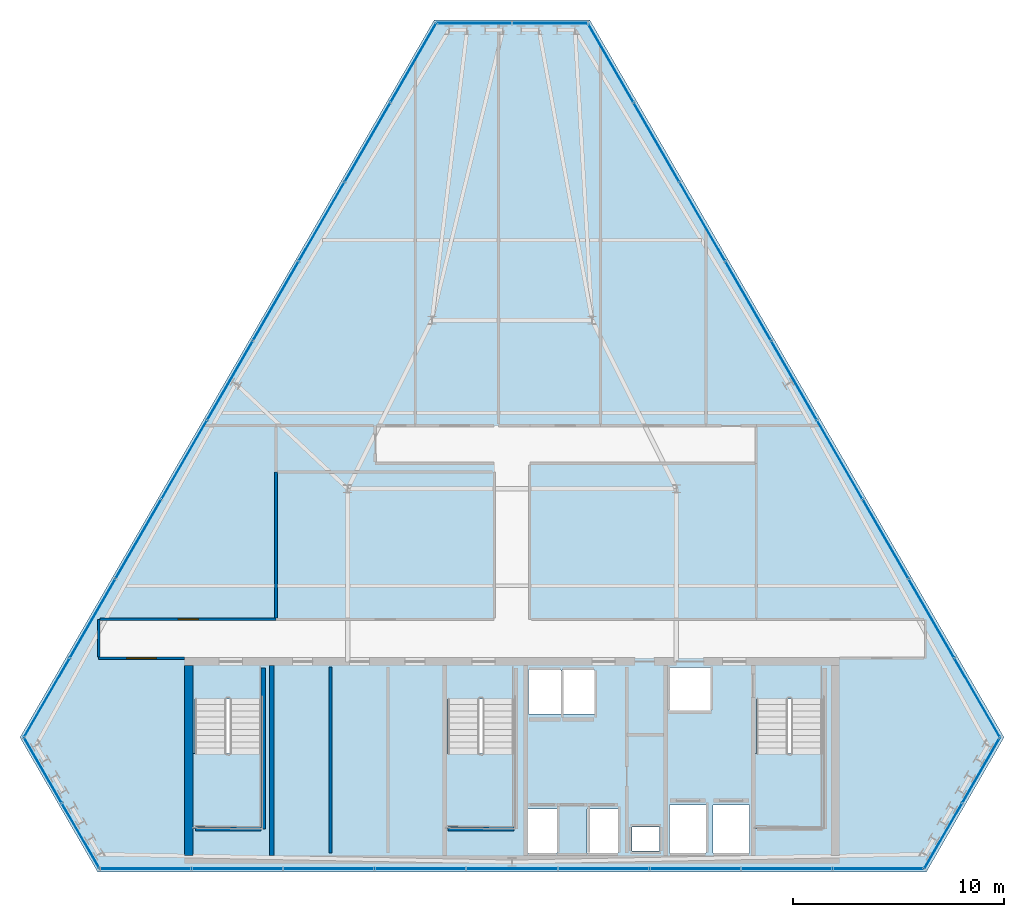
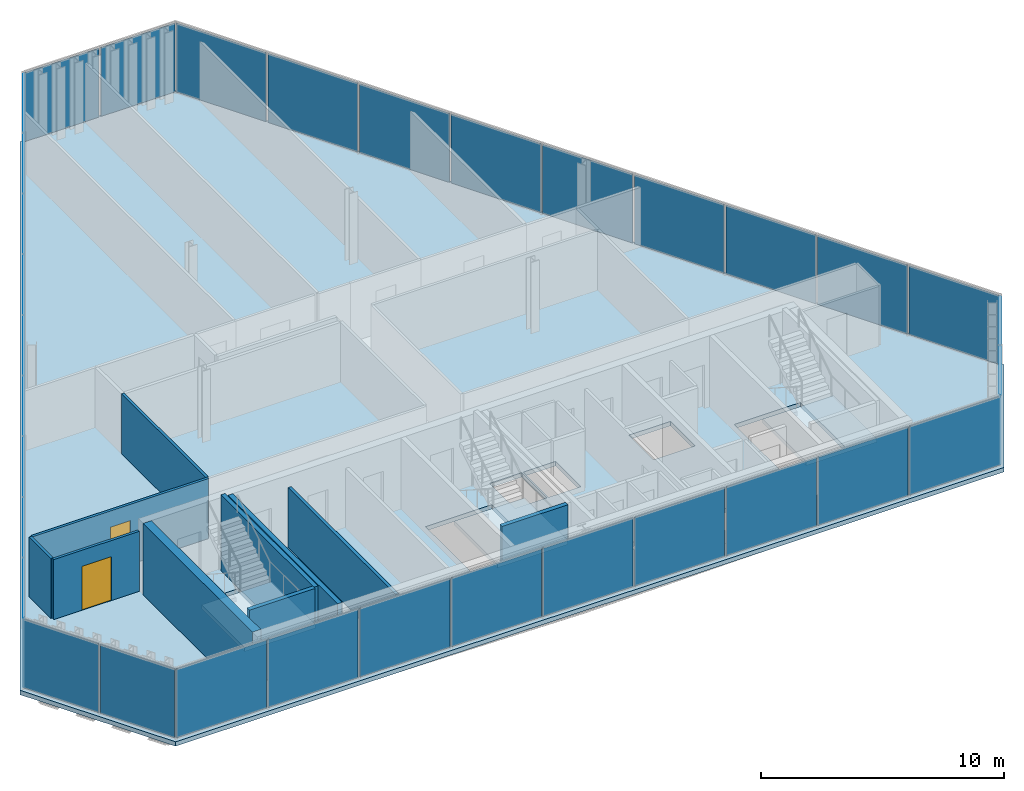
# One storey, part 23 of 29: 33 plates, 10 walls, 4 slabs, 2 doors, 2 openings, 9 elements without a shape of their own.
"""IFC4 building model written with IfcOpenShell, lengths in metres."""

import ifcopenshell
import ifcopenshell.guid

model = None  # the IFC model being written
_history = None  # IfcOwnerHistory: only IFC2X3 demands one
_inside = {}  # id of a spatial element -> (the spatial element, [elements in it])
_under = {}  # id of a project, library or spatial element -> (it, [spatial elements below it])
_declared = {}  # id of a project -> (the project, [libraries it declares])
_typed = {}  # id of a type object -> (the type object, [elements of that type])
_made_of = {}  # id of a material, layer set ... -> (it, [elements and type objects made of it])


def new_model(schema):
    """Start an empty IFC model of exactly this schema.

    Asked for "IFC4X3", IfcOpenShell would pick the latest addendum, in which some entities
    have other attributes; the version numbers below select the first issue.
    IFC2X3 requires an IfcOwnerHistory on every rooted entity: one is made here for all.
    """
    global model, _history
    if schema == "IFC4X3":
        model = ifcopenshell.file(schema_version=(4, 3, 0, 0))
    else:
        model = ifcopenshell.file(schema=schema)
    _inside.clear()
    _under.clear()
    _declared.clear()
    _typed.clear()
    _made_of.clear()
    _history = None
    if model.schema == "IFC2X3":
        org = make("IfcOrganization", Name="unknown")
        user = make(
            "IfcPersonAndOrganization",
            ThePerson=make("IfcPerson", FamilyName="unknown"),
            TheOrganization=org,
        )
        app = make(
            "IfcApplication",
            ApplicationDeveloper=org,
            Version="unknown",
            ApplicationFullName="unknown",
            ApplicationIdentifier="unknown",
        )
        _history = make(
            "IfcOwnerHistory",
            OwningUser=user,
            OwningApplication=app,
            ChangeAction="ADDED",
            CreationDate=0,
        )
    return model


def make(cls, **values):
    """One entity of the class cls with the attributes given. An attribute that is None is left unset."""
    return model.create_entity(
        cls, **{name: value for name, value in values.items() if value is not None}
    )


def rooted(cls, **values):
    """An entity with a GlobalId (a new one), such as an element, a storey or a relation."""
    return make(cls, GlobalId=ifcopenshell.guid.new(), OwnerHistory=_history, **values)


def si_unit(unit_type, name, prefix=None):
    """IfcSIUnit, for example si_unit("LENGTHUNIT", "METRE", prefix="MILLI")."""
    return make("IfcSIUnit", UnitType=unit_type, Prefix=prefix, Name=name)


def assignment(units):
    """IfcUnitAssignment: the units of a project."""
    return None if units is None else make("IfcUnitAssignment", Units=units)


def point(xyz):
    """IfcCartesianPoint."""
    return None if xyz is None else make("IfcCartesianPoint", Coordinates=xyz)


def direction(xyz):
    """IfcDirection."""
    return None if xyz is None else make("IfcDirection", DirectionRatios=xyz)


def frame(location, z_axis=None, x_axis=None):
    """IfcAxis2Placement3D, a coordinate frame: its origin and axes. An axis left out is left unset."""
    return make(
        "IfcAxis2Placement3D",
        Location=point(location),
        Axis=direction(z_axis),
        RefDirection=direction(x_axis),
    )


def frame_2d(location, x_axis=None):
    """IfcAxis2Placement2D, a coordinate frame in the plane: its origin and x axis."""
    return make(
        "IfcAxis2Placement2D", Location=point(location), RefDirection=direction(x_axis)
    )


def origin():
    """The frame at (0, 0, 0) with its axes left unset."""
    return frame((0.0, 0.0, 0.0))


def origin_2d():
    """The frame at (0, 0) in the plane with its x axis left unset."""
    return frame_2d((0.0, 0.0))


def place(relative_to, where):
    """IfcLocalPlacement: puts the frame where relative to a parent placement (None: the world)."""
    return make(
        "IfcLocalPlacement", PlacementRelTo=relative_to, RelativePlacement=where
    )


def context(
    kind, dimensions, precision=None, world=None, true_north=None, identifier=None
):
    """IfcGeometricRepresentationContext, for example the 3D "Model" context."""
    return make(
        "IfcGeometricRepresentationContext",
        ContextIdentifier=identifier,
        ContextType=kind,
        CoordinateSpaceDimension=dimensions,
        Precision=precision,
        WorldCoordinateSystem=world,
        TrueNorth=true_north,
    )


def subcontext(parent, identifier, kind, view, scale=None):
    """IfcGeometricRepresentationSubContext, for example "Body" below "Model"."""
    return make(
        "IfcGeometricRepresentationSubContext",
        ContextIdentifier=identifier,
        ContextType=kind,
        ParentContext=parent,
        TargetScale=scale,
        TargetView=view,
    )


def project(units=None, contexts=None):
    """IfcProject with its units and contexts."""
    return rooted(
        "IfcProject",
        Name="project",
        RepresentationContexts=contexts,
        UnitsInContext=assignment(units),
    )


def spatial(cls, under=None, at=None, **own):
    """A site, building, storey or space (cls), placed at a placement, below another one or the project."""
    s = rooted(cls, ObjectPlacement=at, **own)
    if under is not None:
        _under.setdefault(under.id(), (under, []))[1].append(s)
    return s


def polyline(points):
    """IfcPolyline through the points."""
    return make("IfcPolyline", Points=[point(p) for p in points])


def profile(cls, at=None, kind="AREA", **sizes):
    """A parametric profile (cls). Its sizes go by their IFC names, for example OverallWidth=200.0."""
    return make(cls, ProfileType=kind, Position=at, **sizes)


def rectangle(**sizes):
    """IfcRectangleProfileDef."""
    return profile("IfcRectangleProfileDef", **sizes)


def outline(outer, holes=None, kind="AREA"):
    """IfcArbitraryClosedProfileDef: a profile drawn as a closed curve; with holes, ...WithVoids."""
    if holes is None:
        return make("IfcArbitraryClosedProfileDef", ProfileType=kind, OuterCurve=outer)
    return make(
        "IfcArbitraryProfileDefWithVoids",
        ProfileType=kind,
        OuterCurve=outer,
        InnerCurves=holes,
    )


def extrude(swept, where, along, depth):
    """IfcExtrudedAreaSolid: the profile swept, set in the frame where, extruded along a direction by depth."""
    return make(
        "IfcExtrudedAreaSolid",
        SweptArea=swept,
        Position=where,
        ExtrudedDirection=direction(along),
        Depth=depth,
    )


def shape(context_of_items, identifier, shape_type, items):
    """IfcShapeRepresentation: the items that make up one representation, for example the "Body"."""
    return make(
        "IfcShapeRepresentation",
        ContextOfItems=context_of_items,
        RepresentationIdentifier=identifier,
        RepresentationType=shape_type,
        Items=items,
    )


def material(Name=None, Category=None):
    """IfcMaterial."""
    return make("IfcMaterial", Name=Name, Category=Category)


def layer(
    of_material, thickness, ventilated=None, Name=None, Category=None, Priority=None
):
    """IfcMaterialLayer: one layer of a wall or slab, of a material (None: an air gap)."""
    return make(
        "IfcMaterialLayer",
        Material=of_material,
        LayerThickness=thickness,
        IsVentilated=ventilated,
        Name=Name,
        Category=Category,
        Priority=Priority,
    )


def layer_set(layers, Name=None):
    """IfcMaterialLayerSet."""
    return make("IfcMaterialLayerSet", MaterialLayers=layers, LayerSetName=Name)


def made_of(thing, what):
    """Note that an element or type object is made of a material, layer set ...; save() writes the relation."""
    if what is not None:
        _made_of.setdefault(what.id(), (what, []))[1].append(thing)
    return thing


def type_object(cls, material=None, **own):
    """A type object (cls), such as IfcWallType, which elements share."""
    return made_of(rooted(cls, **own), material)


def element(
    cls,
    number,
    at=None,
    inside=None,
    cuts=None,
    type_object=None,
    material=None,
    context=None,
    identifier="Body",
    shape_type=None,
    held_by="IfcProductDefinitionShape",
    body=None,
    shapes=None,
    **own,
):
    """One element of the class cls, such as IfcWall. Its Tag is "e" and its number.

    at: its placement. inside: the storey or other place that contains it. cuts: it is an
    opening in that element (IfcRelVoidsElement). A single representation is given by context,
    identifier, shape_type and body (its items); several are given by shapes. held_by: the class
    of the entity that holds the representations. save() writes the other relations.
    """
    e = rooted(cls, Tag="e%d" % number, ObjectPlacement=at, **own)
    if body is not None:
        shapes = [shape(context, identifier, shape_type, body)]
    if shapes is not None:
        e.Representation = make(held_by, Representations=shapes)
    if inside is not None:
        _inside.setdefault(inside.id(), (inside, []))[1].append(e)
    if cuts is not None:
        rooted(
            "IfcRelVoidsElement", RelatingBuildingElement=cuts, RelatedOpeningElement=e
        )
    if type_object is not None:
        _typed.setdefault(type_object.id(), (type_object, []))[1].append(e)
    return made_of(e, material)


def fill(opening, filler):
    """IfcRelFillsElement: the door or window that sits in an opening."""
    return rooted(
        "IfcRelFillsElement",
        RelatingOpeningElement=opening,
        RelatedBuildingElement=filler,
    )


def aggregate(whole, parts):
    """IfcRelAggregates: a whole, such as a stair, and the parts it consists of."""
    return rooted("IfcRelAggregates", RelatingObject=whole, RelatedObjects=parts)


def save(model, path):
    """Write the relations noted so far, then the file.

    IfcRelAggregates (storeys below a building ...), IfcRelContainedInSpatialStructure (elements
    in a storey), IfcRelDefinesByType, IfcRelAssociatesMaterial and IfcRelDeclares: one each for
    every whole, place, type object, material and project.
    """
    for whole, parts in _under.values():
        aggregate(whole, parts)
    for where, things in _inside.values():
        rooted(
            "IfcRelContainedInSpatialStructure",
            RelatedElements=things,
            RelatingStructure=where,
        )
    for kind, things in _typed.values():
        rooted("IfcRelDefinesByType", RelatedObjects=things, RelatingType=kind)
    for what, things in _made_of.values():
        rooted("IfcRelAssociatesMaterial", RelatedObjects=things, RelatingMaterial=what)
    for by, libraries in _declared.values():
        rooted("IfcRelDeclares", RelatingContext=by, RelatedDefinitions=libraries)
    model.write(path)


model = new_model("IFC4")

# Units and contexts
model_context = context("Model", 3, precision=1e-05, world=origin(), true_north=direction((0.0, 1.0)))
body_context = subcontext(model_context, "Body", "Model", "MODEL_VIEW")
ifc_project = project(units=[si_unit("LENGTHUNIT", "METRE"), si_unit("AREAUNIT", "SQUARE_METRE"), si_unit("VOLUMEUNIT", "CUBIC_METRE"), si_unit("PLANEANGLEUNIT", "RADIAN"), si_unit("MASSUNIT", "GRAM", prefix="KILO")], contexts=[model_context])

# Site, building, storey
site_placement = place(None, origin())
site = spatial("IfcSite", under=ifc_project, at=site_placement, CompositionType="ELEMENT")
building_placement = place(site_placement, origin())
building = spatial("IfcBuilding", under=site, at=building_placement, Name="Ndaravel Arena Tower", CompositionType="ELEMENT")
storey_placement = place(building_placement, frame((0.0, 0.0, 233.199951171875)))
storey = spatial("IfcBuildingStorey", under=building, at=storey_placement, Name="L56", CompositionType="ELEMENT", Elevation=233.199951171875)

# Curtain wall, plate
ifc_material_1 = material(Name="Aluminium", Category="aluminium")
ifc_layer_1 = layer(ifc_material_1, 0.179931640625)
ifc_layer_set_1 = layer_set([ifc_layer_1], Name="Aluminium")
curtain_wall_type_1 = type_object("IfcCurtainWallType", Name="CW-SYS-01", PredefinedType="NOTDEFINED", material=ifc_layer_set_1)
curtain_wall_1_placement = place(storey_placement, origin())
curtain_wall_1 = element("IfcCurtainWall", 1, at=curtain_wall_1_placement, inside=storey, type_object=curtain_wall_type_1, Name="L56 Faceted Crystal Curtain Wall CW-L56-E02", PredefinedType="NOTDEFINED")
ifc_material_2 = material(Name="Glazing", Category="glass")
ifc_layer_2 = layer(ifc_material_2, 0.035888671875)
ifc_layer_set_2 = layer_set([ifc_layer_2], Name="Glazing")
plate_type_1 = type_object("IfcPlateType", Name="PLT-CW-OPVENT", PredefinedType="CURTAIN_PANEL", material=ifc_layer_set_2)
plate_1_placement = place(storey_placement, frame((64.268310546875, 9.836181640625, 0.06005859375), z_axis=(0.0, 0.0, 1.0), x_axis=(0.499984884929, 0.866034130299, 0.0)))
plate_1 = element("IfcPlate", 2, at=plate_1_placement, type_object=plate_type_1, Name="CW-L56-E02 Operable Vent Sash Panel 02", PredefinedType="CURTAIN_PANEL", context=body_context, shape_type="SweptSolid", body=[
    extrude(rectangle(XDim=3.519775390625, YDim=0.035888671875, at=origin_2d()), origin(), (0.0, 0.0, 1.0), 3.4599609375),
])

curtain_wall_2_placement = place(storey_placement, origin())
curtain_wall_2 = element("IfcCurtainWall", 3, at=curtain_wall_2_placement, inside=storey, type_object=curtain_wall_type_1, Name="L56 Faceted Crystal Curtain Wall CW-L56-E04", PredefinedType="NOTDEFINED")
plate_2_placement = place(storey_placement, frame((40.2001953125, 45.288818359375, 0.06005859375), z_axis=(0.0, 0.0, 1.0), x_axis=(-1.0, 0.0, 0.0)))
plate_2 = element("IfcPlate", 4, at=plate_2_placement, type_object=plate_type_1, Name="CW-L56-E04 Operable Vent Sash Panel 02", PredefinedType="CURTAIN_PANEL", context=body_context, shape_type="SweptSolid", body=[
    extrude(rectangle(XDim=3.519775390625, YDim=0.035888671875, at=origin_2d()), origin(), (0.0, 0.0, 1.0), 3.4599609375),
])

ifc_material_3 = material(Name="Aluminium", Category="aluminium")
ifc_layer_3 = layer(ifc_material_3, 0.179931640625)
ifc_layer_set_3 = layer_set([ifc_layer_3], Name="Aluminium")
curtain_wall_type_2 = type_object("IfcCurtainWallType", Name="CW-SYS-02", PredefinedType="NOTDEFINED", material=ifc_layer_set_3)
curtain_wall_3_placement = place(storey_placement, origin())
curtain_wall_3 = element("IfcCurtainWall", 5, at=curtain_wall_3_placement, inside=storey, type_object=curtain_wall_type_2, Name="L56 Faceted Crystal Curtain Wall CW-L56-E06", PredefinedType="NOTDEFINED")
plate_3_placement = place(storey_placement, frame((21.531494140625, 6.71875, 0.06005859375), z_axis=(0.0, 0.0, 1.0), x_axis=(0.499984884929, -0.866034130299, 0.0)))
plate_3 = element("IfcPlate", 6, at=plate_3_placement, type_object=plate_type_1, Name="CW-L56-E06 Operable Vent Sash Panel 02", PredefinedType="CURTAIN_PANEL", context=body_context, shape_type="SweptSolid", body=[
    extrude(rectangle(XDim=3.519775390625, YDim=0.035888671875, at=origin_2d()), origin(), (0.0, 0.0, 1.0), 3.4599609375),
])

# Plate
ifc_material_4 = material(Name="Glazing", Category="glass")
ifc_layer_4 = layer(ifc_material_4, 0.031982421875)
ifc_layer_set_4 = layer_set([ifc_layer_4], Name="Glazing")
plate_type_2 = type_object("IfcPlateType", Name="PLT-GLZ-FRIT35", PredefinedType="CURTAIN_PANEL", material=ifc_layer_set_4)
plate_4_placement = place(storey_placement, frame((62.468505859375, 6.71875, 0.06005859375), z_axis=(0.0, 0.0, 1.0), x_axis=(0.499984884929, 0.866034130299, 0.0)))
plate_4 = element("IfcPlate", 7, at=plate_4_placement, type_object=plate_type_2, Name="CW-L56-E02 Vision Glass Panel 01", PredefinedType="CURTAIN_PANEL", context=body_context, shape_type="SweptSolid", body=[
    extrude(rectangle(XDim=3.519775390625, YDim=0.035888671875, at=origin_2d()), origin(), (0.0, 0.0, 1.0), 3.4599609375),
])

aggregate(curtain_wall_1, [plate_4, plate_1])

plate_5_placement = place(storey_placement, frame((43.7998046875, 45.288818359375, 0.06005859375), z_axis=(0.0, 0.0, 1.0), x_axis=(-1.0, 0.0, 0.0)))
plate_5 = element("IfcPlate", 8, at=plate_5_placement, type_object=plate_type_2, Name="CW-L56-E04 Vision Glass Panel 01", PredefinedType="CURTAIN_PANEL", context=body_context, shape_type="SweptSolid", body=[
    extrude(rectangle(XDim=3.519775390625, YDim=0.035888671875, at=origin_2d()), origin(), (0.0, 0.0, 1.0), 3.4599609375),
])

aggregate(curtain_wall_2, [plate_5, plate_2])

ifc_material_5 = material(Name="Glazing", Category="glass")
ifc_layer_5 = layer(ifc_material_5, 0.035888671875)
ifc_layer_set_5 = layer_set([ifc_layer_5], Name="Glazing")
plate_type_3 = type_object("IfcPlateType", Name="PLT-GLZ-FRIT55", PredefinedType="CURTAIN_PANEL", material=ifc_layer_set_5)
plate_6_placement = place(storey_placement, frame((19.731689453125, 9.836181640625, 0.06005859375), z_axis=(0.0, 0.0, 1.0), x_axis=(0.499984884929, -0.866034130299, 0.0)))
plate_6 = element("IfcPlate", 9, at=plate_6_placement, type_object=plate_type_3, Name="CW-L56-E06 Vision Glass Panel 01", PredefinedType="CURTAIN_PANEL", context=body_context, shape_type="SweptSolid", body=[
    extrude(rectangle(XDim=3.519775390625, YDim=0.035888671875, at=origin_2d()), origin(), (0.0, 0.0, 1.0), 3.4599609375),
])

aggregate(curtain_wall_3, [plate_6, plate_3])

# Curtain wall, plates
ifc_material_6 = material(Name="Aluminium", Category="aluminium")
ifc_layer_6 = layer(ifc_material_6, 0.179931640625)
ifc_layer_set_6 = layer_set([ifc_layer_6], Name="Aluminium")
curtain_wall_type_3 = type_object("IfcCurtainWallType", Name="CW-SYS-03", PredefinedType="NOTDEFINED", material=ifc_layer_set_6)
curtain_wall_4_placement = place(storey_placement, origin())
curtain_wall_4 = element("IfcCurtainWall", 10, at=curtain_wall_4_placement, inside=storey, type_object=curtain_wall_type_3, Name="L56 Faceted Crystal Curtain Wall CW-L56-E01", PredefinedType="NOTDEFINED")
ifc_material_7 = material(Name="Glazing", Category="glass")
ifc_layer_7 = layer(ifc_material_7, 0.0400390625)
ifc_layer_set_7 = layer_set([ifc_layer_7], Name="Glazing")
plate_type_4 = type_object("IfcPlateType", Name="PLT-GLZ-LOWIRON", PredefinedType="CURTAIN_PANEL", material=ifc_layer_set_7)
plate_7_placement = place(storey_placement, frame((24.605712890625, 5.159912109375, 0.06005859375), z_axis=(0.0, 0.0, 1.0), x_axis=(1.0, 0.0, 0.0)))
plate_7 = element("IfcPlate", 11, at=plate_7_placement, type_object=plate_type_4, Name="CW-L56-E01 Vision Glass Panel 01", PredefinedType="CURTAIN_PANEL", context=body_context, shape_type="SweptSolid", body=[
    extrude(rectangle(XDim=4.2685546875, YDim=0.035888671875, at=origin_2d()), origin(), (0.0, 0.0, 1.0), 3.4599609375),
])
plate_8_placement = place(storey_placement, frame((28.9541015625, 5.159912109375, 0.06005859375), z_axis=(0.0, 0.0, 1.0), x_axis=(1.0, 0.0, 0.0)))
plate_8 = element("IfcPlate", 12, at=plate_8_placement, type_object=plate_type_4, Name="CW-L56-E01 Vision Glass Panel 02", PredefinedType="CURTAIN_PANEL", context=body_context, shape_type="SweptSolid", body=[
    extrude(rectangle(XDim=4.2685546875, YDim=0.035888671875, at=origin_2d()), origin(), (0.0, 0.0, 1.0), 3.4599609375),
])
plate_9_placement = place(storey_placement, frame((33.302734375, 5.159912109375, 0.06005859375), z_axis=(0.0, 0.0, 1.0), x_axis=(1.0, 0.0, 0.0)))
plate_9 = element("IfcPlate", 13, at=plate_9_placement, type_object=plate_type_4, Name="CW-L56-E01 Vision Glass Panel 03", PredefinedType="CURTAIN_PANEL", context=body_context, shape_type="SweptSolid", body=[
    extrude(rectangle(XDim=4.2685546875, YDim=0.035888671875, at=origin_2d()), origin(), (0.0, 0.0, 1.0), 3.4599609375),
])
plate_10_placement = place(storey_placement, frame((37.6513671875, 5.159912109375, 0.06005859375), z_axis=(0.0, 0.0, 1.0), x_axis=(1.0, 0.0, 0.0)))
plate_10 = element("IfcPlate", 14, at=plate_10_placement, type_object=plate_type_4, Name="CW-L56-E01 Vision Glass Panel 04", PredefinedType="CURTAIN_PANEL", context=body_context, shape_type="SweptSolid", body=[
    extrude(rectangle(XDim=4.2685546875, YDim=0.035888671875, at=origin_2d()), origin(), (0.0, 0.0, 1.0), 3.4599609375),
])
plate_11_placement = place(storey_placement, frame((42.0, 5.159912109375, 0.06005859375), z_axis=(0.0, 0.0, 1.0), x_axis=(1.0, 0.0, 0.0)))
plate_11 = element("IfcPlate", 15, at=plate_11_placement, type_object=plate_type_4, Name="CW-L56-E01 Vision Glass Panel 05", PredefinedType="CURTAIN_PANEL", context=body_context, shape_type="SweptSolid", body=[
    extrude(rectangle(XDim=4.2685546875, YDim=0.035888671875, at=origin_2d()), origin(), (0.0, 0.0, 1.0), 3.4599609375),
])
plate_12_placement = place(storey_placement, frame((46.3486328125, 5.159912109375, 0.06005859375), z_axis=(0.0, 0.0, 1.0), x_axis=(1.0, 0.0, 0.0)))
plate_12 = element("IfcPlate", 16, at=plate_12_placement, type_object=plate_type_4, Name="CW-L56-E01 Vision Glass Panel 06", PredefinedType="CURTAIN_PANEL", context=body_context, shape_type="SweptSolid", body=[
    extrude(rectangle(XDim=4.2685546875, YDim=0.035888671875, at=origin_2d()), origin(), (0.0, 0.0, 1.0), 3.4599609375),
])
plate_13_placement = place(storey_placement, frame((50.697265625, 5.159912109375, 0.06005859375), z_axis=(0.0, 0.0, 1.0), x_axis=(1.0, 0.0, 0.0)))
plate_13 = element("IfcPlate", 17, at=plate_13_placement, type_object=plate_type_4, Name="CW-L56-E01 Vision Glass Panel 07", PredefinedType="CURTAIN_PANEL", context=body_context, shape_type="SweptSolid", body=[
    extrude(rectangle(XDim=4.2685546875, YDim=0.035888671875, at=origin_2d()), origin(), (0.0, 0.0, 1.0), 3.4599609375),
])
plate_14_placement = place(storey_placement, frame((55.0458984375, 5.159912109375, 0.06005859375), z_axis=(0.0, 0.0, 1.0), x_axis=(1.0, 0.0, 0.0)))
plate_14 = element("IfcPlate", 18, at=plate_14_placement, type_object=plate_type_4, Name="CW-L56-E01 Vision Glass Panel 08", PredefinedType="CURTAIN_PANEL", context=body_context, shape_type="SweptSolid", body=[
    extrude(rectangle(XDim=4.2685546875, YDim=0.035888671875, at=origin_2d()), origin(), (0.0, 0.0, 1.0), 3.4599609375),
])
plate_15_placement = place(storey_placement, frame((59.394287109375, 5.159912109375, 0.06005859375), z_axis=(0.0, 0.0, 1.0), x_axis=(1.0, 0.0, 0.0)))
plate_15 = element("IfcPlate", 19, at=plate_15_placement, type_object=plate_type_4, Name="CW-L56-E01 Vision Glass Panel 09", PredefinedType="CURTAIN_PANEL", context=body_context, shape_type="SweptSolid", body=[
    extrude(rectangle(XDim=4.2685546875, YDim=0.035888671875, at=origin_2d()), origin(), (0.0, 0.0, 1.0), 3.4599609375),
])
aggregate(curtain_wall_4, [plate_7, plate_8, plate_9, plate_10, plate_11, plate_12, plate_13, plate_14, plate_15])

curtain_wall_5_placement = place(storey_placement, origin())
curtain_wall_5 = element("IfcCurtainWall", 20, at=curtain_wall_5_placement, inside=storey, type_object=curtain_wall_type_3, Name="L56 Faceted Crystal Curtain Wall CW-L56-E03", PredefinedType="NOTDEFINED")
plate_16_placement = place(storey_placement, frame((64.081298828125, 13.27783203125, 0.06005859375), z_axis=(0.0, 0.0, 1.0), x_axis=(-0.5, 0.866025403784, 0.0)))
plate_16 = element("IfcPlate", 21, at=plate_16_placement, type_object=plate_type_4, Name="CW-L56-E03 Vision Glass Panel 01", PredefinedType="CURTAIN_PANEL", context=body_context, shape_type="SweptSolid", body=[
    extrude(rectangle(XDim=4.2685546875, YDim=0.035888671875, at=origin_2d()), origin(), (0.0, 0.0, 1.0), 3.4599609375),
])
plate_17_placement = place(storey_placement, frame((61.906982421875, 17.0439453125, 0.06005859375), z_axis=(0.0, 0.0, 1.0), x_axis=(-0.5, 0.866025403784, 0.0)))
plate_17 = element("IfcPlate", 22, at=plate_17_placement, type_object=plate_type_4, Name="CW-L56-E03 Vision Glass Panel 02", PredefinedType="CURTAIN_PANEL", context=body_context, shape_type="SweptSolid", body=[
    extrude(rectangle(XDim=4.2685546875, YDim=0.035888671875, at=origin_2d()), origin(), (0.0, 0.0, 1.0), 3.4599609375),
])
plate_18_placement = place(storey_placement, frame((59.732666015625, 20.809814453125, 0.06005859375), z_axis=(0.0, 0.0, 1.0), x_axis=(-0.5, 0.866025403784, 0.0)))
plate_18 = element("IfcPlate", 23, at=plate_18_placement, type_object=plate_type_4, Name="CW-L56-E03 Vision Glass Panel 03", PredefinedType="CURTAIN_PANEL", context=body_context, shape_type="SweptSolid", body=[
    extrude(rectangle(XDim=4.2685546875, YDim=0.035888671875, at=origin_2d()), origin(), (0.0, 0.0, 1.0), 3.4599609375),
])
plate_19_placement = place(storey_placement, frame((57.558349609375, 24.575927734375, 0.06005859375), z_axis=(0.0, 0.0, 1.0), x_axis=(-0.5, 0.866025403784, 0.0)))
plate_19 = element("IfcPlate", 24, at=plate_19_placement, type_object=plate_type_4, Name="CW-L56-E03 Vision Glass Panel 04", PredefinedType="CURTAIN_PANEL", context=body_context, shape_type="SweptSolid", body=[
    extrude(rectangle(XDim=4.2685546875, YDim=0.035888671875, at=origin_2d()), origin(), (0.0, 0.0, 1.0), 3.4599609375),
])
plate_20_placement = place(storey_placement, frame((55.384033203125, 28.341796875, 0.06005859375), z_axis=(0.0, 0.0, 1.0), x_axis=(-0.5, 0.866025403784, 0.0)))
plate_20 = element("IfcPlate", 25, at=plate_20_placement, type_object=plate_type_4, Name="CW-L56-E03 Vision Glass Panel 05", PredefinedType="CURTAIN_PANEL", context=body_context, shape_type="SweptSolid", body=[
    extrude(rectangle(XDim=4.2685546875, YDim=0.035888671875, at=origin_2d()), origin(), (0.0, 0.0, 1.0), 3.4599609375),
])
plate_21_placement = place(storey_placement, frame((53.209716796875, 32.10791015625, 0.06005859375), z_axis=(0.0, 0.0, 1.0), x_axis=(-0.5, 0.866025403784, 0.0)))
plate_21 = element("IfcPlate", 26, at=plate_21_placement, type_object=plate_type_4, Name="CW-L56-E03 Vision Glass Panel 06", PredefinedType="CURTAIN_PANEL", context=body_context, shape_type="SweptSolid", body=[
    extrude(rectangle(XDim=4.2685546875, YDim=0.035888671875, at=origin_2d()), origin(), (0.0, 0.0, 1.0), 3.4599609375),
])
plate_22_placement = place(storey_placement, frame((51.035400390625, 35.873779296875, 0.06005859375), z_axis=(0.0, 0.0, 1.0), x_axis=(-0.5, 0.866025403784, 0.0)))
plate_22 = element("IfcPlate", 27, at=plate_22_placement, type_object=plate_type_4, Name="CW-L56-E03 Vision Glass Panel 07", PredefinedType="CURTAIN_PANEL", context=body_context, shape_type="SweptSolid", body=[
    extrude(rectangle(XDim=4.2685546875, YDim=0.035888671875, at=origin_2d()), origin(), (0.0, 0.0, 1.0), 3.4599609375),
])
plate_23_placement = place(storey_placement, frame((48.861083984375, 39.639892578125, 0.06005859375), z_axis=(0.0, 0.0, 1.0), x_axis=(-0.5, 0.866025403784, 0.0)))
plate_23 = element("IfcPlate", 28, at=plate_23_placement, type_object=plate_type_4, Name="CW-L56-E03 Vision Glass Panel 08", PredefinedType="CURTAIN_PANEL", context=body_context, shape_type="SweptSolid", body=[
    extrude(rectangle(XDim=4.2685546875, YDim=0.035888671875, at=origin_2d()), origin(), (0.0, 0.0, 1.0), 3.4599609375),
])
plate_24_placement = place(storey_placement, frame((46.686767578125, 43.406005859375, 0.06005859375), z_axis=(0.0, 0.0, 1.0), x_axis=(-0.5, 0.866025403784, 0.0)))
plate_24 = element("IfcPlate", 29, at=plate_24_placement, type_object=plate_type_4, Name="CW-L56-E03 Vision Glass Panel 09", PredefinedType="CURTAIN_PANEL", context=body_context, shape_type="SweptSolid", body=[
    extrude(rectangle(XDim=4.2685546875, YDim=0.035888671875, at=origin_2d()), origin(), (0.0, 0.0, 1.0), 3.4599609375),
])
aggregate(curtain_wall_5, [plate_16, plate_17, plate_18, plate_19, plate_20, plate_21, plate_22, plate_23, plate_24])

curtain_wall_6_placement = place(storey_placement, origin())
curtain_wall_6 = element("IfcCurtainWall", 30, at=curtain_wall_6_placement, inside=storey, type_object=curtain_wall_type_3, Name="L56 Faceted Crystal Curtain Wall CW-L56-E05", PredefinedType="NOTDEFINED")
plate_25_placement = place(storey_placement, frame((37.313232421875, 43.406005859375, 0.06005859375), z_axis=(0.0, 0.0, 1.0), x_axis=(-0.5, -0.866025403784, 0.0)))
plate_25 = element("IfcPlate", 31, at=plate_25_placement, type_object=plate_type_4, Name="CW-L56-E05 Vision Glass Panel 01", PredefinedType="CURTAIN_PANEL", context=body_context, shape_type="SweptSolid", body=[
    extrude(rectangle(XDim=4.2685546875, YDim=0.035888671875, at=origin_2d()), origin(), (0.0, 0.0, 1.0), 3.4599609375),
])
plate_26_placement = place(storey_placement, frame((35.138916015625, 39.639892578125, 0.06005859375), z_axis=(0.0, 0.0, 1.0), x_axis=(-0.5, -0.866025403784, 0.0)))
plate_26 = element("IfcPlate", 32, at=plate_26_placement, type_object=plate_type_4, Name="CW-L56-E05 Vision Glass Panel 02", PredefinedType="CURTAIN_PANEL", context=body_context, shape_type="SweptSolid", body=[
    extrude(rectangle(XDim=4.2685546875, YDim=0.035888671875, at=origin_2d()), origin(), (0.0, 0.0, 1.0), 3.4599609375),
])
plate_27_placement = place(storey_placement, frame((32.964599609375, 35.873779296875, 0.06005859375), z_axis=(0.0, 0.0, 1.0), x_axis=(-0.5, -0.866025403784, 0.0)))
plate_27 = element("IfcPlate", 33, at=plate_27_placement, type_object=plate_type_4, Name="CW-L56-E05 Vision Glass Panel 03", PredefinedType="CURTAIN_PANEL", context=body_context, shape_type="SweptSolid", body=[
    extrude(rectangle(XDim=4.2685546875, YDim=0.035888671875, at=origin_2d()), origin(), (0.0, 0.0, 1.0), 3.4599609375),
])
plate_28_placement = place(storey_placement, frame((30.790283203125, 32.10791015625, 0.06005859375), z_axis=(0.0, 0.0, 1.0), x_axis=(-0.5, -0.866025403784, 0.0)))
plate_28 = element("IfcPlate", 34, at=plate_28_placement, type_object=plate_type_4, Name="CW-L56-E05 Vision Glass Panel 04", PredefinedType="CURTAIN_PANEL", context=body_context, shape_type="SweptSolid", body=[
    extrude(rectangle(XDim=4.2685546875, YDim=0.035888671875, at=origin_2d()), origin(), (0.0, 0.0, 1.0), 3.4599609375),
])
plate_29_placement = place(storey_placement, frame((28.615966796875, 28.341796875, 0.06005859375), z_axis=(0.0, 0.0, 1.0), x_axis=(-0.5, -0.866025403784, 0.0)))
plate_29 = element("IfcPlate", 35, at=plate_29_placement, type_object=plate_type_4, Name="CW-L56-E05 Vision Glass Panel 05", PredefinedType="CURTAIN_PANEL", context=body_context, shape_type="SweptSolid", body=[
    extrude(rectangle(XDim=4.2685546875, YDim=0.035888671875, at=origin_2d()), origin(), (0.0, 0.0, 1.0), 3.4599609375),
])
plate_30_placement = place(storey_placement, frame((26.441650390625, 24.575927734375, 0.06005859375), z_axis=(0.0, 0.0, 1.0), x_axis=(-0.5, -0.866025403784, 0.0)))
plate_30 = element("IfcPlate", 36, at=plate_30_placement, type_object=plate_type_4, Name="CW-L56-E05 Vision Glass Panel 06", PredefinedType="CURTAIN_PANEL", context=body_context, shape_type="SweptSolid", body=[
    extrude(rectangle(XDim=4.2685546875, YDim=0.035888671875, at=origin_2d()), origin(), (0.0, 0.0, 1.0), 3.4599609375),
])
plate_31_placement = place(storey_placement, frame((24.267333984375, 20.809814453125, 0.06005859375), z_axis=(0.0, 0.0, 1.0), x_axis=(-0.5, -0.866025403784, 0.0)))
plate_31 = element("IfcPlate", 37, at=plate_31_placement, type_object=plate_type_4, Name="CW-L56-E05 Vision Glass Panel 07", PredefinedType="CURTAIN_PANEL", context=body_context, shape_type="SweptSolid", body=[
    extrude(rectangle(XDim=4.2685546875, YDim=0.035888671875, at=origin_2d()), origin(), (0.0, 0.0, 1.0), 3.4599609375),
])
plate_32_placement = place(storey_placement, frame((22.093017578125, 17.0439453125, 0.06005859375), z_axis=(0.0, 0.0, 1.0), x_axis=(-0.5, -0.866025403784, 0.0)))
plate_32 = element("IfcPlate", 38, at=plate_32_placement, type_object=plate_type_4, Name="CW-L56-E05 Vision Glass Panel 08", PredefinedType="CURTAIN_PANEL", context=body_context, shape_type="SweptSolid", body=[
    extrude(rectangle(XDim=4.2685546875, YDim=0.035888671875, at=origin_2d()), origin(), (0.0, 0.0, 1.0), 3.4599609375),
])
plate_33_placement = place(storey_placement, frame((19.918701171875, 13.27783203125, 0.06005859375), z_axis=(0.0, 0.0, 1.0), x_axis=(-0.5, -0.866025403784, 0.0)))
plate_33 = element("IfcPlate", 39, at=plate_33_placement, type_object=plate_type_4, Name="CW-L56-E05 Vision Glass Panel 09", PredefinedType="CURTAIN_PANEL", context=body_context, shape_type="SweptSolid", body=[
    extrude(rectangle(XDim=4.2685546875, YDim=0.035888671875, at=origin_2d()), origin(), (0.0, 0.0, 1.0), 3.4599609375),
])
aggregate(curtain_wall_6, [plate_25, plate_26, plate_27, plate_28, plate_29, plate_30, plate_31, plate_32, plate_33])

# Stair, slab
ifc_material_8 = material(Name="Concrete C40/50", Category="concrete")
stair_type = type_object("IfcStairType", Name="STAIR-CORE-HT", PredefinedType="HALF_TURN_STAIR", material=ifc_material_8)
stair_1_placement = place(storey_placement, origin())
stair_1 = element("IfcStair", 40, at=stair_1_placement, inside=storey, type_object=stair_type, Name="L56 ST-1", PredefinedType="HALF_TURN_STAIR")
ifc_material_9 = material(Name="Concrete C40/50", Category="concrete")
ifc_layer_8 = layer(ifc_material_9, 0.199951171875)
ifc_layer_set_8 = layer_set([ifc_layer_8], Name="Concrete C40/50")
slab_type_1 = type_object("IfcSlabType", Name="SLAB-STAIR-LANDING", PredefinedType="LANDING", material=ifc_layer_set_8)
slab_1_placement = place(storey_placement, frame((0.0, 0.0, 1.699951171875)))
slab_1 = element("IfcSlab", 41, at=slab_1_placement, type_object=slab_type_1, Name="ST-1 landing 1", PredefinedType="LANDING", context=body_context, shape_type="SweptSolid", body=[
    extrude(outline(polyline([(26.81005859375, 10.6298828125), (26.81005859375, 7.070068359375), (30.169921875, 7.070068359375), (30.169921875, 10.6298828125), (26.81005859375, 10.6298828125)])), origin(), (0.0, 0.0, 1.0), 0.2001953125),
])
aggregate(stair_1, [slab_1])

stair_2_placement = place(storey_placement, origin())
stair_2 = element("IfcStair", 42, at=stair_2_placement, inside=storey, type_object=stair_type, Name="L56 ST-2", PredefinedType="HALF_TURN_STAIR")
slab_2_placement = place(storey_placement, frame((0.0, 0.0, 1.699951171875)))
slab_2 = element("IfcSlab", 43, at=slab_2_placement, type_object=slab_type_1, Name="ST-2 landing 1", PredefinedType="LANDING", context=body_context, shape_type="SweptSolid", body=[
    extrude(outline(polyline([(38.81005859375, 10.6298828125), (38.81005859375, 7.070068359375), (42.169921875, 7.070068359375), (42.169921875, 10.6298828125), (38.81005859375, 10.6298828125)])), origin(), (0.0, 0.0, 1.0), 0.2001953125),
])
aggregate(stair_2, [slab_2])

stair_3_placement = place(storey_placement, origin())
stair_3 = element("IfcStair", 44, at=stair_3_placement, inside=storey, type_object=stair_type, Name="L56 ST-3", PredefinedType="HALF_TURN_STAIR")
slab_3_placement = place(storey_placement, frame((0.0, 0.0, 1.699951171875)))
slab_3 = element("IfcSlab", 45, at=slab_3_placement, type_object=slab_type_1, Name="ST-3 landing 1", PredefinedType="LANDING", context=body_context, shape_type="SweptSolid", body=[
    extrude(outline(polyline([(53.4599609375, 10.6298828125), (53.4599609375, 7.070068359375), (56.820068359375, 7.070068359375), (56.820068359375, 10.6298828125), (53.4599609375, 10.6298828125)])), origin(), (0.0, 0.0, 1.0), 0.2001953125),
])
aggregate(stair_3, [slab_3])

# Slab
ifc_material_10 = material(Name="Concrete C40/50", Category="concrete")
ifc_layer_9 = layer(ifc_material_10, 0.219970703125)
ifc_layer_set_9 = layer_set([ifc_layer_9], Name="Concrete C40/50")
slab_type_2 = type_object("IfcSlabType", Name="SLAB-TWR-220", PredefinedType="FLOOR", material=ifc_layer_set_9)
slab_4_placement = place(storey_placement, frame((0.0, 0.0, -0.219970703125)))
element("IfcSlab", 46, at=slab_4_placement, inside=storey, type_object=slab_type_2, Name="L56 Structural Floor Slab", PredefinedType="FLOOR", context=body_context, shape_type="SweptSolid", body=[
    extrude(outline(polyline([(18.64697265625, 11.39501953125), (22.3388671875, 5.0), (61.6611328125, 5.0), (65.35302734375, 11.39501953125), (45.692138671875, 45.448974609375), (38.307861328125, 45.448974609375), (18.64697265625, 11.39501953125)]), holes=[polyline([(26.949951171875, 13.215087890625), (26.949951171875, 7.14990234375), (30.090087890625, 7.14990234375), (30.090087890625, 13.215087890625), (26.949951171875, 13.215087890625)]), polyline([(38.949951171875, 13.215087890625), (38.949951171875, 7.14990234375), (42.090087890625, 7.14990234375), (42.090087890625, 13.215087890625), (38.949951171875, 13.215087890625)]), polyline([(53.60009765625, 13.215087890625), (53.60009765625, 7.14990234375), (56.739990234375, 7.14990234375), (56.739990234375, 13.215087890625), (53.60009765625, 13.215087890625)]), polyline([(42.659912109375, 5.909912109375), (44.139892578125, 5.909912109375), (44.139892578125, 7.989990234375), (42.659912109375, 7.989990234375), (42.659912109375, 5.909912109375)]), polyline([(45.56005859375, 5.909912109375), (47.0400390625, 5.909912109375), (47.0400390625, 7.989990234375), (45.56005859375, 7.989990234375), (45.56005859375, 5.909912109375)]), polyline([(42.784912109375, 12.510009765625), (44.31494140625, 12.510009765625), (44.31494140625, 14.590087890625), (42.784912109375, 14.590087890625), (42.784912109375, 12.510009765625)]), polyline([(44.385009765625, 12.510009765625), (45.9150390625, 12.510009765625), (45.9150390625, 14.590087890625), (44.385009765625, 14.590087890625), (44.385009765625, 12.510009765625)]), polyline([(49.485107421875, 5.909912109375), (51.215087890625, 5.909912109375), (51.215087890625, 8.18994140625), (49.485107421875, 8.18994140625), (49.485107421875, 5.909912109375)]), polyline([(51.534912109375, 5.909912109375), (53.264892578125, 5.909912109375), (53.264892578125, 8.18994140625), (51.534912109375, 8.18994140625), (51.534912109375, 5.909912109375)]), polyline([(49.4599609375, 12.68505859375), (51.43994140625, 12.68505859375), (51.43994140625, 14.715087890625), (49.4599609375, 14.715087890625), (49.4599609375, 12.68505859375)]), polyline([(47.699951171875, 6.0), (49.0, 6.0), (49.0, 7.139892578125), (47.699951171875, 7.139892578125), (47.699951171875, 6.0)])]), origin(), (0.0, 0.0, 1.0), 0.219970703125),
])

# Walls
ifc_material_11 = material(Name="Gypsum", Category="gypsum")
ifc_layer_10 = layer(ifc_material_11, 0.14990234375)
ifc_layer_set_10 = layer_set([ifc_layer_10], Name="Gypsum")
wall_type_1 = type_object("IfcWallType", Name="WALL-COMP-150", PredefinedType="PARTITIONING", material=ifc_layer_set_10)
wall_1_placement = place(storey_placement, frame((33.3798828125, 5.89990234375, 0.0), z_axis=(0.0, 0.0, 1.0), x_axis=(0.0, 1.0, 0.0)))
element("IfcWall", 47, at=wall_1_placement, inside=storey, type_object=wall_type_1, Name="L56 High-Zone Core Divider 1", PredefinedType="PARTITIONING", context=body_context, shape_type="SweptSolid", body=[
    extrude(rectangle(XDim=8.85009765625, YDim=0.14990234375, at=frame_2d((4.425048828125, 0.0))), origin(), (0.0, 0.0, 1.0), 3.010498046875),
])
ifc_material_12 = material(Name="Concrete C50/60", Category="concrete")
ifc_layer_11 = layer(ifc_material_12, 0.219970703125)
ifc_layer_set_11 = layer_set([ifc_layer_11], Name="Concrete C50/60")
wall_type_2 = type_object("IfcWallType", Name="WALL-CORE-220", PredefinedType="SOLIDWALL", material=ifc_layer_set_11)
wall_2_placement = place(storey_placement, frame((30.60009765625, 5.800048828125, 0.0), z_axis=(0.0, 0.0, 1.0), x_axis=(0.0, 1.0, 0.0)))
element("IfcWall", 48, at=wall_2_placement, inside=storey, type_object=wall_type_2, Name="L56 Core Web Shear Wall 1", PredefinedType="SOLIDWALL", context=body_context, shape_type="SweptSolid", body=[
    extrude(rectangle(XDim=9.0, YDim=0.219970703125, at=frame_2d((4.5, 0.0))), origin(), (0.0, 0.0, 1.0), 3.580078125),
])
ifc_material_13 = material(Name="Concrete C50/60", Category="concrete")
ifc_layer_12 = layer(ifc_material_13, 0.39990234375)
ifc_layer_set_12 = layer_set([ifc_layer_12], Name="Concrete C50/60")
wall_type_3 = type_object("IfcWallType", Name="WALL-CORE-400", PredefinedType="SOLIDWALL", material=ifc_layer_set_12)
wall_3_placement = place(storey_placement, frame((26.64990234375, 5.800048828125, 0.0), z_axis=(0.0, 0.0, 1.0), x_axis=(0.0, 1.0, 0.0)))
element("IfcWall", 49, at=wall_3_placement, inside=storey, type_object=wall_type_3, Name="L56 Core West Shear Wall", PredefinedType="SOLIDWALL", context=body_context, shape_type="SweptSolid", body=[
    extrude(rectangle(XDim=9.0, YDim=0.39990234375, at=frame_2d((4.5, 0.0))), origin(), (0.0, 0.0, 1.0), 3.580078125),
])

# Wall, opening, door
ifc_material_14 = material(Name="Gypsum", Category="gypsum")
ifc_layer_13 = layer(ifc_material_14, 0.125)
ifc_layer_set_13 = layer_set([ifc_layer_13], Name="Gypsum")
wall_type_4 = type_object("IfcWallType", Name="WALL-PART-125", PredefinedType="PARTITIONING", material=ifc_layer_set_13)
wall_4_placement = place(storey_placement, frame((26.449951171875, 15.14990234375, 0.0), z_axis=(0.0, 0.0, 1.0), x_axis=(-1.0, 0.0, 0.0)))
wall_4 = element("IfcWall", 50, at=wall_4_placement, inside=storey, type_object=wall_type_4, Name="L56 Interior Partition 003", PredefinedType="PARTITIONING", context=body_context, shape_type="SweptSolid", body=[
    extrude(rectangle(XDim=4.072021484375, YDim=0.125, at=frame_2d((2.0361328125, 0.0))), origin(), (0.0, 0.0, 1.0), 3.010498046875),
])
opening_1_placement = place(wall_4_placement, frame((1.3359375, 0.0, 0.0)))
opening_1 = element("IfcOpeningElement", 51, at=opening_1_placement, cuts=wall_4, Name="Opening ID-02", PredefinedType="OPENING", context=body_context, shape_type="SweptSolid", body=[
    extrude(rectangle(XDim=1.39990234375, YDim=2.199951171875, at=frame_2d((0.699951171875, 1.10009765625))), frame((0.0, 0.0625, 0.0), z_axis=(0.0, -1.0, 0.0), x_axis=(1.0, 0.0, 0.0)), (0.0, 0.0, 1.0), 0.125),
])
ifc_material_15 = material(Name="Timber", Category="wood")
door_type_1 = type_object("IfcDoorType", Name="DT-04-SUITE-1400", OperationType="DOUBLE_DOOR_SINGLE_SWING", PredefinedType="DOOR", material=ifc_material_15)
door_1_placement = place(opening_1_placement, origin())
door_1 = element("IfcDoor", 52, at=door_1_placement, inside=storey, type_object=door_type_1, Name="L56 Collaborative Lounge Door", OperationType="SINGLE_SWING_LEFT", OverallHeight=2.199951171875, OverallWidth=1.39990234375, PredefinedType="DOOR", context=body_context, shape_type="SweptSolid", body=[
    extrude(rectangle(XDim=1.39990234375, YDim=2.199951171875, at=frame_2d((0.699951171875, 1.10009765625))), frame((0.0, 0.02490234375, 0.0), z_axis=(0.0, -1.0, 0.0), x_axis=(1.0, 0.0, 0.0)), (0.0, 0.0, 1.0), 0.050048828125),
])
fill(opening_1, door_1)

# Wall
wall_5_placement = place(storey_placement, frame((22.3779296875, 15.215087890625, 0.0), z_axis=(0.0, 0.0, 1.0), x_axis=(0.0, 1.0, 0.0)))
element("IfcWall", 53, at=wall_5_placement, inside=storey, type_object=wall_type_4, Name="L56 Interior Partition 004", PredefinedType="PARTITIONING", context=body_context, shape_type="SweptSolid", body=[
    extrude(rectangle(XDim=1.784912109375, YDim=0.125, at=frame_2d((0.892578125, 0.0))), origin(), (0.0, 0.0, 1.0), 3.010498046875),
])

# Wall, opening, door
wall_6_placement = place(storey_placement, frame((22.443115234375, 17.0, 0.0), z_axis=(0.0, 0.0, 1.0), x_axis=(1.0, 0.0, 0.0)))
wall_6 = element("IfcWall", 54, at=wall_6_placement, inside=storey, type_object=wall_type_4, Name="L56 Interior Partition 005", PredefinedType="PARTITIONING", context=body_context, shape_type="SweptSolid", body=[
    extrude(rectangle(XDim=8.35693359375, YDim=0.125, at=frame_2d((4.178466796875, 0.0))), origin(), (0.0, 0.0, 1.0), 3.010498046875),
])
opening_2_placement = place(wall_6_placement, frame((3.70361328125, 0.0, 0.0)))
opening_2 = element("IfcOpeningElement", 55, at=opening_2_placement, cuts=wall_6, Name="Opening ID-01", PredefinedType="OPENING", context=body_context, shape_type="SweptSolid", body=[
    extrude(rectangle(XDim=0.949951171875, YDim=2.199951171875, at=frame_2d((0.47509765625, 1.10009765625))), frame((0.0, 0.0625, 0.0), z_axis=(0.0, -1.0, 0.0), x_axis=(1.0, 0.0, 0.0)), (0.0, 0.0, 1.0), 0.125),
])
ifc_material_16 = material(Name="Timber", Category="wood")
door_type_2 = type_object("IfcDoorType", Name="DT-03-OFFICE-950", OperationType="SINGLE_SWING_LEFT", PredefinedType="DOOR", material=ifc_material_16)
door_2_placement = place(opening_2_placement, origin())
door_2 = element("IfcDoor", 56, at=door_2_placement, inside=storey, type_object=door_type_2, Name="L56 Quiet Study Room 3 Door", OperationType="SINGLE_SWING_RIGHT", OverallHeight=2.199951171875, OverallWidth=0.949951171875, PredefinedType="DOOR", context=body_context, shape_type="SweptSolid", body=[
    extrude(rectangle(XDim=0.949951171875, YDim=2.199951171875, at=frame_2d((0.47509765625, 1.10009765625))), frame((0.0, 0.02490234375, 0.0), z_axis=(0.0, -1.0, 0.0), x_axis=(1.0, 0.0, 0.0)), (0.0, 0.0, 1.0), 0.050048828125),
])
fill(opening_2, door_2)

# Walls
wall_7_placement = place(storey_placement, frame((30.800048828125, 17.06494140625, 0.0), z_axis=(0.0, 0.0, 1.0), x_axis=(0.0, 1.0, 0.0)))
element("IfcWall", 57, at=wall_7_placement, inside=storey, type_object=wall_type_4, Name="L56 Interior Partition 021", PredefinedType="PARTITIONING", context=body_context, shape_type="SweptSolid", body=[
    extrude(rectangle(XDim=6.927001953125, YDim=0.125, at=frame_2d((3.46337890625, 0.0))), origin(), (0.0, 0.0, 1.0), 3.010498046875),
])
ifc_material_17 = material(Name="Concrete C40/50", Category="concrete")
ifc_layer_14 = layer(ifc_material_17, 0.199951171875)
ifc_layer_set_14 = layer_set([ifc_layer_14], Name="Concrete C40/50")
wall_type_5 = type_object("IfcWallType", Name="WALL-SHAFT-200", PredefinedType="SOLIDWALL", material=ifc_layer_set_14)
wall_8_placement = place(storey_placement, frame((30.18994140625, 14.699951171875, 0.0), z_axis=(0.0, 0.0, 1.0), x_axis=(0.0, -1.0, 0.0)))
element("IfcWall", 58, at=wall_8_placement, inside=storey, type_object=wall_type_5, Name="L56 ST-1 Structural Shaft Wall Right", PredefinedType="SOLIDWALL", context=body_context, shape_type="SweptSolid", body=[
    extrude(rectangle(XDim=7.64990234375, YDim=0.199951171875, at=frame_2d((3.824951171875, 0.0))), origin(), (0.0, 0.0, 1.0), 3.800048828125),
])
for number, where, z_axis, x_axis, name in (
    (59, (26.969970703125, 7.050048828125, 0.0), (0.0, 0.0, 1.0), (1.0, 0.0, 0.0), "L56 ST-1 Structural Shaft Wall Far"),
    (60, (38.969970703125, 7.050048828125, 0.0), (0.0, 0.0, 1.0), (1.0, 0.0, 0.0), "L56 ST-2 Structural Shaft Wall Far"),
):
    element("IfcWall", number, at=place(storey_placement, frame(where, z_axis=z_axis, x_axis=x_axis)), inside=storey, type_object=wall_type_5, Name=name, PredefinedType="SOLIDWALL", context=body_context, shape_type="SweptSolid", body=[
        extrude(rectangle(XDim=3.114990234375, YDim=0.199951171875, at=frame_2d((1.5576171875, 0.0))), origin(), (0.0, 0.0, 1.0), 3.800048828125),
    ])

save(model, "model.ifc")
